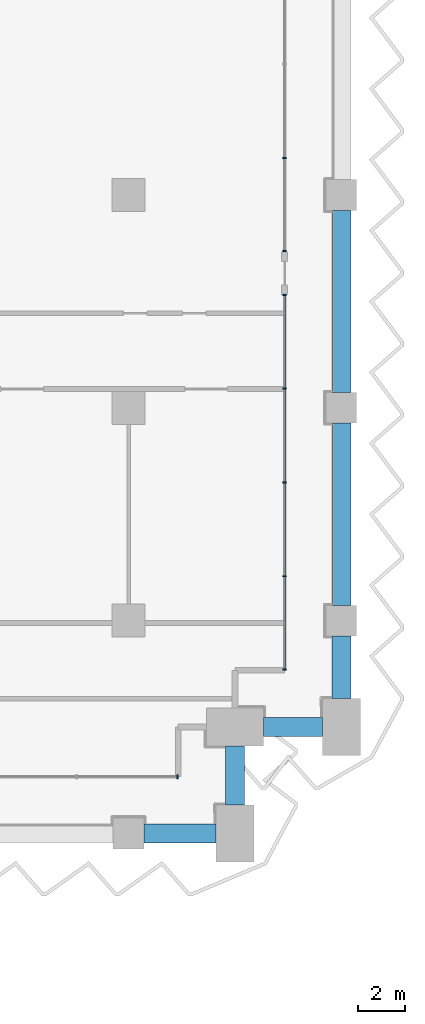
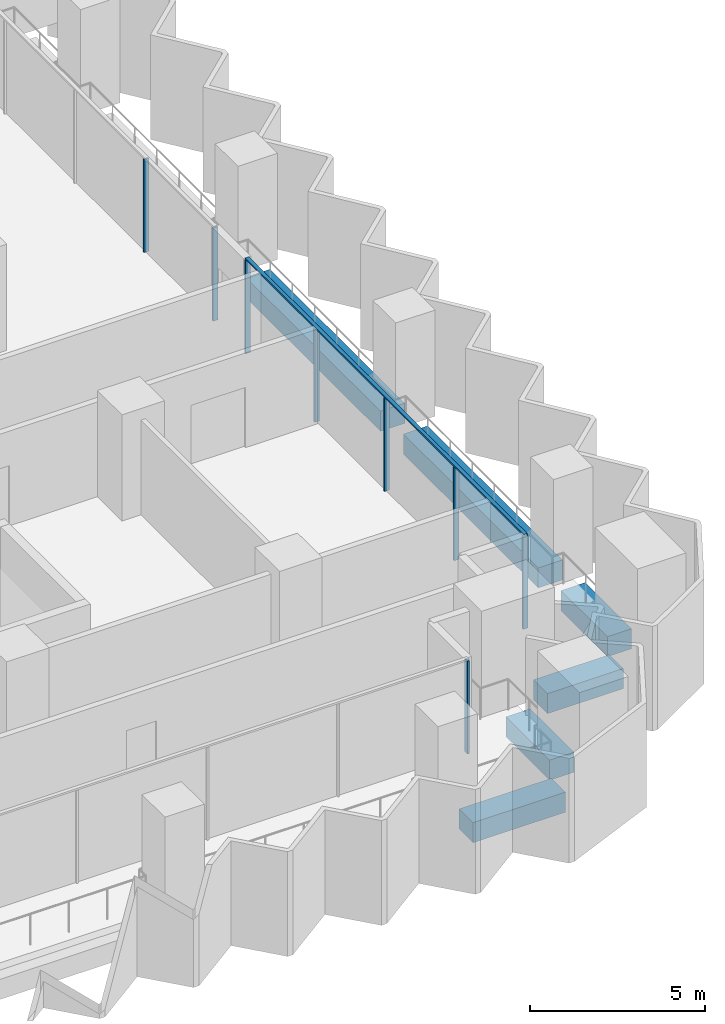
# One storey, part 6 of 29: 9 members, 6 beams, 3 elements without a shape of their own.
"""IFC4 building model written with IfcOpenShell, lengths in metres."""

from ifc_helpers import new_model, si_unit, direction, frame, origin, origin_2d, place, context, subcontext, project, spatial, rectangle, extrude, material, material_profile, profile_set, type_object, element, aggregate, save


model = new_model("IFC4")

# Units and contexts
model_context = context("Model", 3, precision=1e-05, world=origin(), true_north=direction((0.0, 1.0)))
body_context = subcontext(model_context, "Body", "Model", "MODEL_VIEW")
ifc_project = project(units=[si_unit("LENGTHUNIT", "METRE"), si_unit("AREAUNIT", "SQUARE_METRE"), si_unit("VOLUMEUNIT", "CUBIC_METRE"), si_unit("PLANEANGLEUNIT", "RADIAN"), si_unit("MASSUNIT", "GRAM", prefix="KILO")], contexts=[model_context])

# Site, building, storey
site_placement = place(None, origin())
site = spatial("IfcSite", under=ifc_project, at=site_placement, CompositionType="ELEMENT")
building_placement = place(site_placement, origin())
building = spatial("IfcBuilding", under=site, at=building_placement, Name="Hunhe Ridgeline Campus", CompositionType="ELEMENT")
storey_placement = place(building_placement, frame((0.0, 0.0, 50.60009765625)))
storey = spatial("IfcBuildingStorey", under=building, at=storey_placement, Name="L11", CompositionType="ELEMENT", Elevation=50.60009765625)

# Curtain wall, member
ifc_material_1 = material(Name="Aluminium 6063", Category="aluminium")
curtain_wall_type = type_object("IfcCurtainWallType", Name="Curtain wall CW-1", PredefinedType="NOTDEFINED", material=ifc_material_1)
curtain_wall_1_placement = place(storey_placement, origin())
curtain_wall_1 = element("IfcCurtainWall", 1, at=curtain_wall_1_placement, inside=storey, type_object=curtain_wall_type, Name="Curtain wall 13", PredefinedType="NOTDEFINED")
ifc_material_profile_1 = material_profile(ifc_material_1, rectangle(XDim=0.159912109375, YDim=0.06005859375, at=origin_2d()))
ifc_profile_set_1 = profile_set([ifc_material_profile_1], Name="Aluminium 6063")
member_type_1 = type_object("IfcMemberType", Name="CW-1 aluminium mullion", PredefinedType="MULLION", material=ifc_profile_set_1)
member_1_placement = place(storey_placement, frame((92.069091796875, 56.40087890625, 0.0), z_axis=(0.0, 0.0, 1.0), x_axis=(-3.602063e-06, 0.999999999994, 0.0)))
member_1 = element("IfcMember", 2, at=member_1_placement, type_object=member_type_1, Name="CW-1 mullion 9", PredefinedType="MULLION", context=body_context, shape_type="SweptSolid", body=[
    extrude(rectangle(XDim=0.159912109375, YDim=0.06005859375, at=origin_2d()), origin(), (0.0, 0.0, 1.0), 3.239990234375),
])
aggregate(curtain_wall_1, [member_1])

# Curtain wall, members
curtain_wall_2_placement = place(storey_placement, origin())
curtain_wall_2 = element("IfcCurtainWall", 3, at=curtain_wall_2_placement, inside=storey, type_object=curtain_wall_type, Name="Curtain wall 14", PredefinedType="NOTDEFINED")
member_2_placement = place(storey_placement, frame((96.59912109375, 60.930908203125, 0.0), z_axis=(0.0, 0.0, 1.0), x_axis=(-1.0, 0.0, 0.0)))
member_2 = element("IfcMember", 4, at=member_2_placement, type_object=member_type_1, Name="CW-1 mullion 1", PredefinedType="MULLION", context=body_context, shape_type="SweptSolid", body=[
    extrude(rectangle(XDim=0.159912109375, YDim=0.06005859375, at=origin_2d()), origin(), (0.0, 0.0, 1.0), 3.239990234375),
])
member_3_placement = place(storey_placement, frame((96.59912109375, 64.8759765625, 0.0), z_axis=(0.0, 0.0, 1.0), x_axis=(-1.0, 0.0, 0.0)))
member_3 = element("IfcMember", 5, at=member_3_placement, type_object=member_type_1, Name="CW-1 mullion 2", PredefinedType="MULLION", context=body_context, shape_type="SweptSolid", body=[
    extrude(rectangle(XDim=0.159912109375, YDim=0.06005859375, at=origin_2d()), origin(), (0.0, 0.0, 1.0), 3.239990234375),
])
member_4_placement = place(storey_placement, frame((96.59912109375, 68.850830078125, 0.0), z_axis=(0.0, 0.0, 1.0), x_axis=(-1.0, 0.0, 0.0)))
member_4 = element("IfcMember", 6, at=member_4_placement, type_object=member_type_1, Name="CW-1 mullion 3", PredefinedType="MULLION", context=body_context, shape_type="SweptSolid", body=[
    extrude(rectangle(XDim=0.159912109375, YDim=0.06005859375, at=origin_2d()), origin(), (0.0, 0.0, 1.0), 3.239990234375),
])
member_5_placement = place(storey_placement, frame((96.59912109375, 72.82568359375, 0.0), z_axis=(0.0, 0.0, 1.0), x_axis=(-1.0, 0.0, 0.0)))
member_5 = element("IfcMember", 7, at=member_5_placement, type_object=member_type_1, Name="CW-1 mullion 4", PredefinedType="MULLION", context=body_context, shape_type="SweptSolid", body=[
    extrude(rectangle(XDim=0.159912109375, YDim=0.06005859375, at=origin_2d()), origin(), (0.0, 0.0, 1.0), 3.239990234375),
])
member_6_placement = place(storey_placement, frame((96.59912109375, 76.7705078125, 0.0), z_axis=(0.0, 0.0, 1.0), x_axis=(-1.0, 0.0, 0.0)))
member_6 = element("IfcMember", 8, at=member_6_placement, type_object=member_type_1, Name="CW-1 mullion 5", PredefinedType="MULLION", context=body_context, shape_type="SweptSolid", body=[
    extrude(rectangle(XDim=0.159912109375, YDim=0.06005859375, at=origin_2d()), origin(), (0.0, 0.0, 1.0), 3.239990234375),
])

curtain_wall_3_placement = place(storey_placement, origin())
curtain_wall_3 = element("IfcCurtainWall", 9, at=curtain_wall_3_placement, inside=storey, type_object=curtain_wall_type, Name="Curtain wall 15", PredefinedType="NOTDEFINED")
member_7_placement = place(storey_placement, frame((96.59912109375, 78.630615234375, 0.0), z_axis=(0.0, 0.0, 1.0), x_axis=(-1.0, 0.0, 0.0)))
member_7 = element("IfcMember", 10, at=member_7_placement, type_object=member_type_1, Name="CW-1 mullion 1", PredefinedType="MULLION", context=body_context, shape_type="SweptSolid", body=[
    extrude(rectangle(XDim=0.159912109375, YDim=0.06005859375, at=origin_2d()), origin(), (0.0, 0.0, 1.0), 3.239990234375),
])
member_8_placement = place(storey_placement, frame((96.59912109375, 82.575439453125, 0.0), z_axis=(0.0, 0.0, 1.0), x_axis=(-1.0, 0.0, 0.0)))
member_8 = element("IfcMember", 11, at=member_8_placement, type_object=member_type_1, Name="CW-1 mullion 2", PredefinedType="MULLION", context=body_context, shape_type="SweptSolid", body=[
    extrude(rectangle(XDim=0.159912109375, YDim=0.06005859375, at=origin_2d()), origin(), (0.0, 0.0, 1.0), 3.239990234375),
])
aggregate(curtain_wall_3, [member_7, member_8])

# Member
ifc_material_profile_2 = material_profile(ifc_material_1, rectangle(XDim=0.1201171875, YDim=0.06005859375, at=origin_2d()))
ifc_profile_set_2 = profile_set([ifc_material_profile_2], Name="Aluminium 6063")
member_type_2 = type_object("IfcMemberType", Name="CW-1 aluminium transom", PredefinedType="USERDEFINED", material=ifc_profile_set_2)
member_9_placement = place(storey_placement, frame((96.59912109375, 60.90087890625, 3.27001953125), z_axis=(0.0, 1.0, 0.0), x_axis=(-1.0, 0.0, 0.0)))
member_9 = element("IfcMember", 12, at=member_9_placement, type_object=member_type_2, Name="CW-1 transom 1", ObjectType="TRANSOM", PredefinedType="USERDEFINED", context=body_context, shape_type="SweptSolid", body=[
    extrude(rectangle(XDim=0.1201171875, YDim=0.06005859375, at=origin_2d()), origin(), (0.0, 0.0, 1.0), 15.899658203125),
])

aggregate(curtain_wall_2, [member_9, member_2, member_3, member_4, member_5, member_6])

# Beams
ifc_material_2 = material(Name="Concrete C60", Category="concrete")
ifc_material_profile_3 = material_profile(ifc_material_2, rectangle(XDim=0.800048828125, YDim=0.699951171875, at=origin_2d()))
ifc_profile_set_3 = profile_set([ifc_material_profile_3], Name="Concrete C60")
beam_type = type_object("IfcBeamType", Name="RC spandrel beam 800x700 Concrete C60", PredefinedType="SPANDREL", material=ifc_profile_set_3)
beam_1_placement = place(storey_placement, frame((90.64990234375, 54.0, -0.60009765625), z_axis=(1.0, 0.0, 0.0), x_axis=(0.0, 1.0, 0.0)))
element("IfcBeam", 13, at=beam_1_placement, inside=storey, type_object=beam_type, Name="Spandrel beam B1-17 L11", PredefinedType="SPANDREL", context=body_context, shape_type="SweptSolid", body=[
    extrude(rectangle(XDim=0.800048828125, YDim=0.699951171875, at=origin_2d()), origin(), (0.0, 0.0, 1.0), 3.050048828125),
])
for number, where, z_axis, x_axis, name in (
    (14, (94.5, 55.199951171875, -0.60009765625), (0.0, 1.0, 0.0), (-1.0, 0.0, 0.0), "Spandrel beam B1-18 L11"),
    (15, (95.699951171875, 58.5, -0.60009765625), (1.0, 0.0, 0.0), (0.0, 1.0, 0.0), "Spandrel beam B1-19 L11"),
):
    element("IfcBeam", number, at=place(storey_placement, frame(where, z_axis=z_axis, x_axis=x_axis)), inside=storey, type_object=beam_type, Name=name, PredefinedType="SPANDREL", context=body_context, shape_type="SweptSolid", body=[
        extrude(rectangle(XDim=0.800048828125, YDim=0.699951171875, at=origin_2d()), origin(), (0.0, 0.0, 1.0), 2.5),
    ])
beam_2_placement = place(storey_placement, frame((99.0, 59.699951171875, -0.60009765625), z_axis=(0.0, 1.0, 0.0), x_axis=(-1.0, 0.0, 0.0)))
element("IfcBeam", 16, at=beam_2_placement, inside=storey, type_object=beam_type, Name="Spandrel beam B1-20 L11", PredefinedType="SPANDREL", context=body_context, shape_type="SweptSolid", body=[
    extrude(rectangle(XDim=0.800048828125, YDim=0.699951171875, at=origin_2d()), origin(), (0.0, 0.0, 1.0), 2.650146484375),
])
for number, where, z_axis, x_axis, name in (
    (17, (99.0, 63.64990234375, -0.60009765625), (0.0, 1.0, 0.0), (-1.0, 0.0, 0.0), "Spandrel beam B1-21 L11"),
    (18, (99.0, 72.64990234375, -0.60009765625), (0.0, 1.0, 0.0), (-1.0, 0.0, 0.0), "Spandrel beam B1-22 L11"),
):
    element("IfcBeam", number, at=place(storey_placement, frame(where, z_axis=z_axis, x_axis=x_axis)), inside=storey, type_object=beam_type, Name=name, PredefinedType="SPANDREL", context=body_context, shape_type="SweptSolid", body=[
        extrude(rectangle(XDim=0.800048828125, YDim=0.699951171875, at=origin_2d()), origin(), (0.0, 0.0, 1.0), 7.7001953125),
    ])

save(model, "model.ifc")
